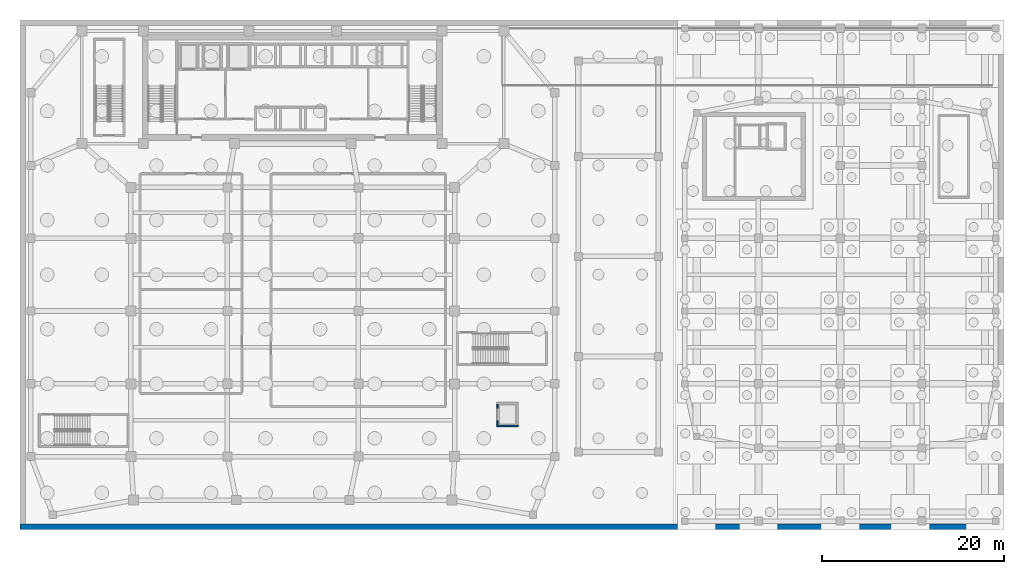
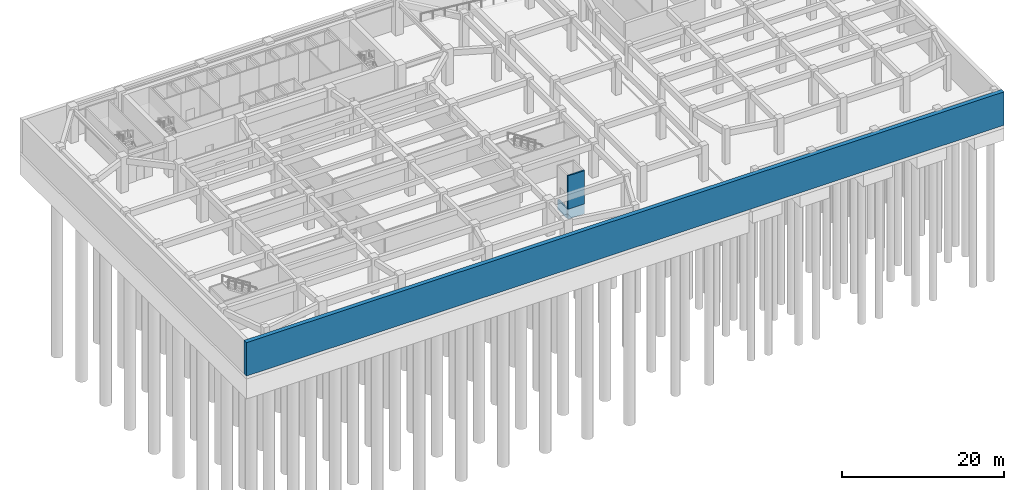
# One storey, part 8 of 18: 4 walls.
"""IFC4 building model written with IfcOpenShell, lengths in metres."""

from ifc_helpers import new_model, si_unit, direction, frame, frame_2d, origin, place, context, subcontext, project, spatial, rectangle, extrude, material, layer, layer_set, type_object, element, save


model = new_model("IFC4")

# Units and contexts
model_context = context("Model", 3, precision=1e-05, world=origin(), true_north=direction((0.0, 1.0)))
body_context = subcontext(model_context, "Body", "Model", "MODEL_VIEW")
ifc_project = project(units=[si_unit("LENGTHUNIT", "METRE"), si_unit("AREAUNIT", "SQUARE_METRE"), si_unit("VOLUMEUNIT", "CUBIC_METRE"), si_unit("PLANEANGLEUNIT", "RADIAN"), si_unit("MASSUNIT", "GRAM", prefix="KILO")], contexts=[model_context])

# Site, building, storey
site_placement = place(None, origin())
site = spatial("IfcSite", under=ifc_project, at=site_placement, CompositionType="ELEMENT")
building_placement = place(site_placement, origin())
building = spatial("IfcBuilding", under=site, at=building_placement, Name="Saevonmaru Cultural Tower", CompositionType="ELEMENT")
storey_placement = place(building_placement, frame((0.0, 0.0, -10.800048828125)))
storey = spatial("IfcBuildingStorey", under=building, at=storey_placement, Name="B2", CompositionType="ELEMENT", Elevation=-10.800048828125)

# Walls
ifc_material_1 = material(Name="Concrete C50/60", Category="concrete")
ifc_layer_1 = layer(ifc_material_1, 0.60009765625, Name="Concrete C50/60")
ifc_layer_set_1 = layer_set([ifc_layer_1], Name="Concrete C50/60")
wall_type_1 = type_object("IfcWallType", Name="WL-RET-600", PredefinedType="USERDEFINED", material=ifc_layer_set_1)
wall_1_placement = place(storey_placement, frame((0.0, 0.300048828125, 0.0), z_axis=(0.0, 0.0, 1.0), x_axis=(1.0, 0.0, 0.0)))
element("IfcWall", 1, at=wall_1_placement, inside=storey, type_object=wall_type_1, Name="B2 Basement perimeter retaining wall S", ObjectType="RETAININGWALL", PredefinedType="USERDEFINED", context=body_context, shape_type="SweptSolid", body=[
    extrude(rectangle(XDim=108.199951171875, YDim=0.60009765625, at=frame_2d((54.10009765625, 0.0))), origin(), (0.0, 0.0, 1.0), 5.050048828125),
])
ifc_material_2 = material(Name="Concrete C40/50", Category="concrete")
ifc_layer_2 = layer(ifc_material_2, 0.199951171875, Name="Concrete C40/50")
ifc_layer_set_2 = layer_set([ifc_layer_2], Name="Concrete C40/50")
wall_type_2 = type_object("IfcWallType", Name="WL-SHAFT-200", PredefinedType="SHEAR", material=ifc_layer_set_2)
wall_2_placement = place(storey_placement, frame((52.39990234375, 11.35009765625, -1.47998046875), z_axis=(0.0, 0.0, 1.0), x_axis=(1.0, 0.0, 0.0)))
element("IfcWall", 2, at=wall_2_placement, inside=storey, type_object=wall_type_2, Name="Lift SLF-1 Pit Wall S", PredefinedType="SHEAR", context=body_context, shape_type="SweptSolid", body=[
    extrude(rectangle(XDim=2.400146484375, YDim=0.199951171875, at=frame_2d((1.2001953125, 0.0))), origin(), (0.0, 0.0, 1.0), 1.47998046875),
])
wall_3_placement = place(storey_placement, frame((52.5, 11.449951171875, -1.47998046875), z_axis=(0.0, 0.0, 1.0), x_axis=(0.0, 1.0, 0.0)))
element("IfcWall", 3, at=wall_3_placement, inside=storey, type_object=wall_type_2, Name="Lift SLF-1 Pit Wall W", PredefinedType="SHEAR", context=body_context, shape_type="SweptSolid", body=[
    extrude(rectangle(XDim=2.300048828125, YDim=0.199951171875, at=frame_2d((1.14990234375, 0.0))), origin(), (0.0, 0.0, 1.0), 1.47998046875),
])
wall_4_placement = place(storey_placement, frame((52.39990234375, 11.35009765625, 0.0), z_axis=(0.0, 0.0, 1.0), x_axis=(1.0, 0.0, 0.0)))
element("IfcWall", 4, at=wall_4_placement, inside=storey, type_object=wall_type_2, Name="B2 Lift SLF-1 Hoistway Wall S", PredefinedType="SHEAR", context=body_context, shape_type="SweptSolid", body=[
    extrude(rectangle(XDim=2.400146484375, YDim=0.199951171875, at=frame_2d((1.2001953125, 0.0))), origin(), (0.0, 0.0, 1.0), 5.050048828125),
])

save(model, "model.ifc")
